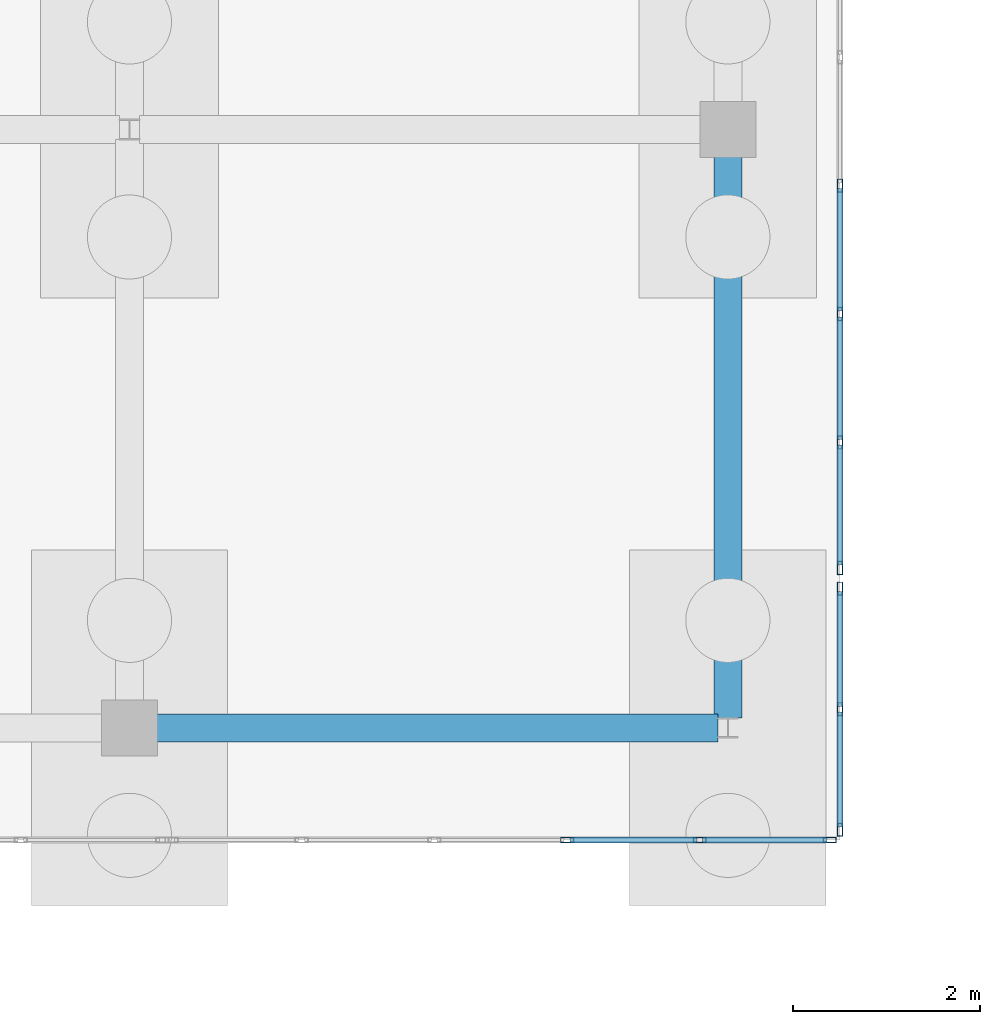
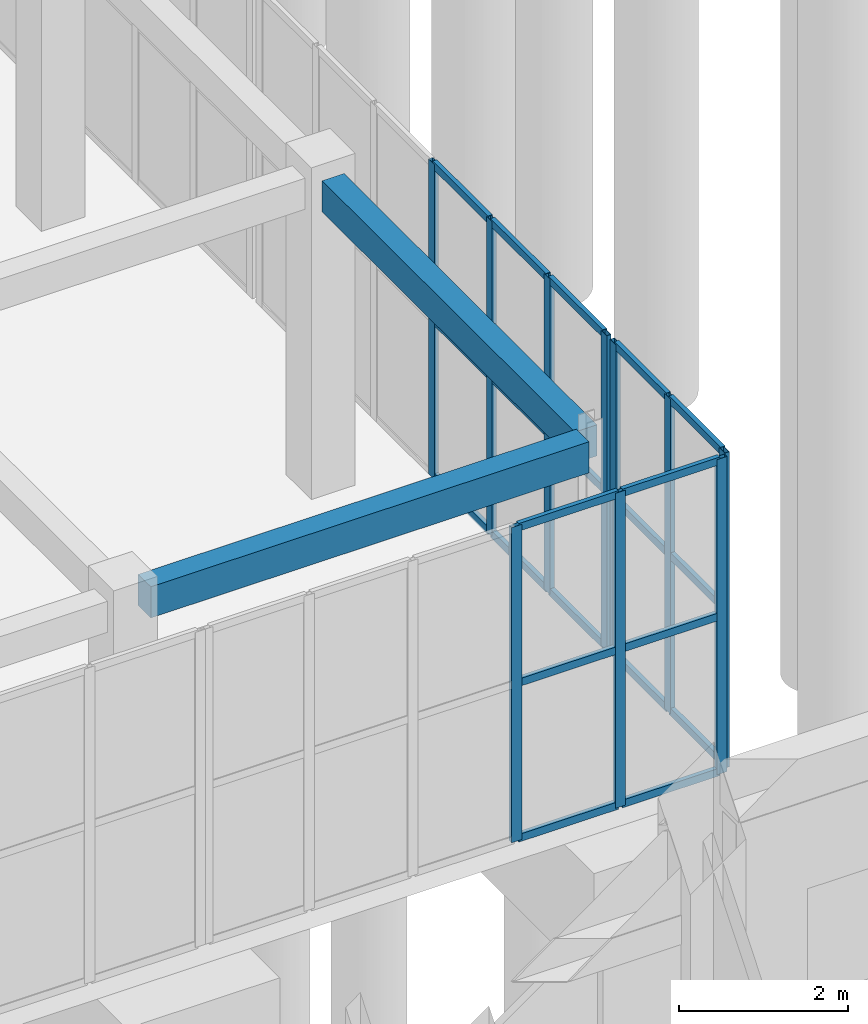
# One storey, part 72 of 192: 31 members, 2 beams, 3 elements without a shape of their own.
"""IFC4 building model written with IfcOpenShell, lengths in metres."""

from ifc_helpers import new_model, si_unit, direction, frame, origin, origin_2d, place, context, subcontext, project, spatial, rectangle, hollow_rectangle, extrude, material, layer, layer_set, material_profile, profile_set, type_object, element, aggregate, save


model = new_model("IFC4")

# Units and contexts
model_context = context("Model", 3, precision=1e-05, world=origin(), true_north=direction((0.0, 1.0)))
body_context = subcontext(model_context, "Body", "Model", "MODEL_VIEW")
ifc_project = project(units=[si_unit("LENGTHUNIT", "METRE"), si_unit("AREAUNIT", "SQUARE_METRE"), si_unit("VOLUMEUNIT", "CUBIC_METRE"), si_unit("PLANEANGLEUNIT", "RADIAN"), si_unit("MASSUNIT", "GRAM", prefix="KILO")], contexts=[model_context])

# Site, building, storey
site_placement = place(None, origin())
site = spatial("IfcSite", under=ifc_project, at=site_placement, CompositionType="ELEMENT")
building_placement = place(site_placement, origin())
building = spatial("IfcBuilding", under=site, at=building_placement, Name="Trelvath General Hospital", CompositionType="ELEMENT")
storey_placement = place(building_placement, origin())
storey = spatial("IfcBuildingStorey", under=building, at=storey_placement, Name="L00", CompositionType="ELEMENT", Elevation=0.0)

# Beams
ifc_material_1 = material(Name="Concrete C35/45", Category="concrete")
ifc_material_profile_1 = material_profile(ifc_material_1, rectangle(XDim=0.300048828125, YDim=0.449951171875, at=origin_2d()), Name="RCB300x450")
ifc_profile_set_1 = profile_set([ifc_material_profile_1], Name="Concrete C35/45")
beam_type = type_object("IfcBeamType", Name="Beam RC300x450", PredefinedType="BEAM", material=ifc_profile_set_1)
for number, where, z_axis, x_axis, name in (
    (1, (113.89599609375, 32.0, 4.3349609375), (1.0, 0.0, 0.0), (0.0, 1.0, 0.0), "Cube Interior Ring Beam CUBE-E-T0 L00"),
    (2, (120.0, 32.10595703125, 4.3349609375), (0.0, 1.0, 0.0), (-1.0, 0.0, 0.0), "Cube Interior Ring Beam CUBE-E-T0 L00"),
):
    element("IfcBeam", number, at=place(storey_placement, frame(where, z_axis=z_axis, x_axis=x_axis)), inside=storey, type_object=beam_type, Name=name, PredefinedType="BEAM", context=body_context, shape_type="SweptSolid", body=[
        extrude(rectangle(XDim=0.300048828125, YDim=0.449951171875, at=origin_2d()), origin(), (0.0, 0.0, 1.0), 5.998046875),
    ])

# Curtain wall, members
ifc_material_2 = material(Name="Anodised aluminium and low-E glass", Category="aluminium")
ifc_layer_1 = layer(ifc_material_2, 0.139892578125)
ifc_layer_set_1 = layer_set([ifc_layer_1], Name="Anodised aluminium and low-E glass")
curtain_wall_type_1 = type_object("IfcCurtainWallType", Name="CW CrystalCube 710 456 14", PredefinedType="USERDEFINED", material=ifc_layer_set_1)
curtain_wall_1_placement = place(storey_placement, origin())
curtain_wall_1 = element("IfcCurtainWall", 3, at=curtain_wall_1_placement, inside=storey, type_object=curtain_wall_type_1, Name="Crystal Cube Curtain Wall CUBE-E-T0 S5 L00", ObjectType="Unitised Glazed Curtain Wall", PredefinedType="USERDEFINED")
ifc_material_3 = material(Name="Anodised aluminium", Category="aluminium")
ifc_material_profile_2 = material_profile(ifc_material_3, hollow_rectangle(XDim=0.06005859375, YDim=0.139892578125, WallThickness=0.00390625, at=origin_2d()), Name="RHS60x140x4")
ifc_profile_set_2 = profile_set([ifc_material_profile_2], Name="Anodised aluminium")
member_type_1 = type_object("IfcMemberType", Name="CurtainMullion 60x140", PredefinedType="MULLION", material=ifc_profile_set_2)
member_1_placement = place(storey_placement, frame((121.090087890625, 30.800048828125, 0.0), z_axis=(0.0, 0.0, 1.0), x_axis=(0.0, -1.0, 0.0)))
member_1 = element("IfcMember", 4, at=member_1_placement, type_object=member_type_1, Name="CW-110 mullion 1", PredefinedType="MULLION", context=body_context, shape_type="SweptSolid", body=[
    extrude(hollow_rectangle(XDim=0.06005859375, YDim=0.139892578125, WallThickness=0.00390625, at=origin_2d()), origin(), (0.0, 0.0, 1.0), 4.56005859375),
])
member_2_placement = place(storey_placement, frame((119.699951171875, 30.800048828125, 0.0), z_axis=(0.0, 0.0, 1.0), x_axis=(0.0, -1.0, 0.0)))
member_2 = element("IfcMember", 5, at=member_2_placement, type_object=member_type_1, Name="CW-110 mullion 2", PredefinedType="MULLION", context=body_context, shape_type="SweptSolid", body=[
    extrude(hollow_rectangle(XDim=0.06005859375, YDim=0.139892578125, WallThickness=0.00390625, at=origin_2d()), origin(), (0.0, 0.0, 1.0), 4.56005859375),
])
member_3_placement = place(storey_placement, frame((118.280029296875, 30.800048828125, 0.0), z_axis=(0.0, 0.0, 1.0), x_axis=(0.0, -1.0, 0.0)))
member_3 = element("IfcMember", 6, at=member_3_placement, type_object=member_type_1, Name="CW-110 mullion 3", PredefinedType="MULLION", context=body_context, shape_type="SweptSolid", body=[
    extrude(hollow_rectangle(XDim=0.06005859375, YDim=0.139892578125, WallThickness=0.00390625, at=origin_2d()), origin(), (0.0, 0.0, 1.0), 4.56005859375),
])

ifc_material_4 = material(Name="Anodised aluminium and low-E glass", Category="aluminium")
ifc_layer_2 = layer(ifc_material_4, 0.139892578125)
ifc_layer_set_2 = layer_set([ifc_layer_2], Name="Anodised aluminium and low-E glass")
curtain_wall_type_2 = type_object("IfcCurtainWallType", Name="CW CrystalCube 264 456 14", PredefinedType="USERDEFINED", material=ifc_layer_set_2)
curtain_wall_2_placement = place(storey_placement, origin())
curtain_wall_2 = element("IfcCurtainWall", 7, at=curtain_wall_2_placement, inside=storey, type_object=curtain_wall_type_2, Name="Crystal Cube Curtain Wall CUBE-E-T0 E1 L00", ObjectType="Unitised Glazed Curtain Wall", PredefinedType="USERDEFINED")
member_4_placement = place(storey_placement, frame((121.199951171875, 33.489990234375, 0.0), z_axis=(0.0, 0.0, 1.0), x_axis=(1.0, 0.0, 0.0)))
member_4 = element("IfcMember", 8, at=member_4_placement, type_object=member_type_1, Name="CW-116 mullion 1", PredefinedType="MULLION", context=body_context, shape_type="SweptSolid", body=[
    extrude(hollow_rectangle(XDim=0.06005859375, YDim=0.139892578125, WallThickness=0.00390625, at=origin_2d()), origin(), (0.0, 0.0, 1.0), 4.56005859375),
])
member_5_placement = place(storey_placement, frame((121.199951171875, 32.199951171875, 0.0), z_axis=(0.0, 0.0, 1.0), x_axis=(1.0, 0.0, 0.0)))
member_5 = element("IfcMember", 9, at=member_5_placement, type_object=member_type_1, Name="CW-116 mullion 2", PredefinedType="MULLION", context=body_context, shape_type="SweptSolid", body=[
    extrude(hollow_rectangle(XDim=0.06005859375, YDim=0.139892578125, WallThickness=0.00390625, at=origin_2d()), origin(), (0.0, 0.0, 1.0), 4.56005859375),
])
member_6_placement = place(storey_placement, frame((121.199951171875, 30.909912109375, 0.0), z_axis=(0.0, 0.0, 1.0), x_axis=(1.0, 0.0, 0.0)))
member_6 = element("IfcMember", 10, at=member_6_placement, type_object=member_type_1, Name="CW-116 mullion 3", PredefinedType="MULLION", context=body_context, shape_type="SweptSolid", body=[
    extrude(hollow_rectangle(XDim=0.06005859375, YDim=0.139892578125, WallThickness=0.00390625, at=origin_2d()), origin(), (0.0, 0.0, 1.0), 4.56005859375),
])

ifc_material_5 = material(Name="Anodised aluminium and low-E glass", Category="aluminium")
ifc_layer_3 = layer(ifc_material_5, 0.139892578125)
ifc_layer_set_3 = layer_set([ifc_layer_3], Name="Anodised aluminium and low-E glass")
curtain_wall_type_3 = type_object("IfcCurtainWallType", Name="CW CrystalCube 824 456 14", PredefinedType="USERDEFINED", material=ifc_layer_set_3)
curtain_wall_3_placement = place(storey_placement, origin())
curtain_wall_3 = element("IfcCurtainWall", 11, at=curtain_wall_3_placement, inside=storey, type_object=curtain_wall_type_3, Name="Crystal Cube Curtain Wall CUBE-E-T0 E2 L00", ObjectType="Unitised Glazed Curtain Wall", PredefinedType="USERDEFINED")
member_7_placement = place(storey_placement, frame((121.199951171875, 37.800048828125, 0.0), z_axis=(0.0, 0.0, 1.0), x_axis=(1.0, 0.0, 0.0)))
member_7 = element("IfcMember", 12, at=member_7_placement, type_object=member_type_1, Name="CW-118 mullion 4", PredefinedType="MULLION", context=body_context, shape_type="SweptSolid", body=[
    extrude(hollow_rectangle(XDim=0.06005859375, YDim=0.139892578125, WallThickness=0.00390625, at=origin_2d()), origin(), (0.0, 0.0, 1.0), 4.56005859375),
])
member_8_placement = place(storey_placement, frame((121.199951171875, 36.4267578125, 0.0), z_axis=(0.0, 0.0, 1.0), x_axis=(1.0, 0.0, 0.0)))
member_8 = element("IfcMember", 13, at=member_8_placement, type_object=member_type_1, Name="CW-118 mullion 5", PredefinedType="MULLION", context=body_context, shape_type="SweptSolid", body=[
    extrude(hollow_rectangle(XDim=0.06005859375, YDim=0.139892578125, WallThickness=0.00390625, at=origin_2d()), origin(), (0.0, 0.0, 1.0), 4.56005859375),
])
member_9_placement = place(storey_placement, frame((121.199951171875, 35.05322265625, 0.0), z_axis=(0.0, 0.0, 1.0), x_axis=(1.0, 0.0, 0.0)))
member_9 = element("IfcMember", 14, at=member_9_placement, type_object=member_type_1, Name="CW-118 mullion 6", PredefinedType="MULLION", context=body_context, shape_type="SweptSolid", body=[
    extrude(hollow_rectangle(XDim=0.06005859375, YDim=0.139892578125, WallThickness=0.00390625, at=origin_2d()), origin(), (0.0, 0.0, 1.0), 4.56005859375),
])
member_10_placement = place(storey_placement, frame((121.199951171875, 33.7099609375, 0.0), z_axis=(0.0, 0.0, 1.0), x_axis=(1.0, 0.0, 0.0)))
member_10 = element("IfcMember", 15, at=member_10_placement, type_object=member_type_1, Name="CW-118 mullion 7", PredefinedType="MULLION", context=body_context, shape_type="SweptSolid", body=[
    extrude(hollow_rectangle(XDim=0.06005859375, YDim=0.139892578125, WallThickness=0.00390625, at=origin_2d()), origin(), (0.0, 0.0, 1.0), 4.56005859375),
])

# Member
ifc_material_6 = material(Name="Anodised aluminium", Category="aluminium")
ifc_material_profile_3 = material_profile(ifc_material_6, hollow_rectangle(XDim=0.06005859375, YDim=0.110107421875, WallThickness=0.00390625, at=origin_2d()), Name="RHS60x110x4")
ifc_profile_set_3 = profile_set([ifc_material_profile_3], Name="Anodised aluminium")
member_type_2 = type_object("IfcMemberType", Name="CurtainTransom 60x110", PredefinedType="USERDEFINED", material=ifc_profile_set_3)
member_11_placement = place(storey_placement, frame((121.06005859375, 30.800048828125, 0.030029296875), z_axis=(-1.0, 0.0, 0.0), x_axis=(0.0, -1.0, 0.0)))
member_11 = element("IfcMember", 16, at=member_11_placement, type_object=member_type_2, Name="CW-110 transom 1.1", ObjectType="TRANSOM", PredefinedType="USERDEFINED", context=body_context, shape_type="SweptSolid", body=[
    extrude(hollow_rectangle(XDim=0.06005859375, YDim=0.110107421875, WallThickness=0.00390625, at=origin_2d()), origin(), (0.0, 0.0, 1.0), 1.330078125),
])

member_12_placement = place(storey_placement, frame((121.06005859375, 30.800048828125, 2.280029296875), z_axis=(-1.0, 0.0, 0.0), x_axis=(0.0, -1.0, 0.0)))
member_12 = element("IfcMember", 17, at=member_12_placement, type_object=member_type_2, Name="CW-110 transom 1.2", ObjectType="TRANSOM", PredefinedType="USERDEFINED", context=body_context, shape_type="SweptSolid", body=[
    extrude(hollow_rectangle(XDim=0.06005859375, YDim=0.110107421875, WallThickness=0.00390625, at=origin_2d()), origin(), (0.0, 0.0, 1.0), 1.330078125),
])

member_13_placement = place(storey_placement, frame((121.06005859375, 30.800048828125, 4.530029296875), z_axis=(-1.0, 0.0, 0.0), x_axis=(0.0, -1.0, 0.0)))
member_13 = element("IfcMember", 18, at=member_13_placement, type_object=member_type_2, Name="CW-110 transom 1.3", ObjectType="TRANSOM", PredefinedType="USERDEFINED", context=body_context, shape_type="SweptSolid", body=[
    extrude(hollow_rectangle(XDim=0.06005859375, YDim=0.110107421875, WallThickness=0.00390625, at=origin_2d()), origin(), (0.0, 0.0, 1.0), 1.330078125),
])

member_14_placement = place(storey_placement, frame((119.669921875, 30.800048828125, 0.030029296875), z_axis=(-1.0, 0.0, 0.0), x_axis=(0.0, -1.0, 0.0)))
member_14 = element("IfcMember", 19, at=member_14_placement, type_object=member_type_2, Name="CW-110 transom 2.1", ObjectType="TRANSOM", PredefinedType="USERDEFINED", context=body_context, shape_type="SweptSolid", body=[
    extrude(hollow_rectangle(XDim=0.06005859375, YDim=0.110107421875, WallThickness=0.00390625, at=origin_2d()), origin(), (0.0, 0.0, 1.0), 1.35986328125),
])

member_15_placement = place(storey_placement, frame((119.669921875, 30.800048828125, 2.280029296875), z_axis=(-1.0, 0.0, 0.0), x_axis=(0.0, -1.0, 0.0)))
member_15 = element("IfcMember", 20, at=member_15_placement, type_object=member_type_2, Name="CW-110 transom 2.2", ObjectType="TRANSOM", PredefinedType="USERDEFINED", context=body_context, shape_type="SweptSolid", body=[
    extrude(hollow_rectangle(XDim=0.06005859375, YDim=0.110107421875, WallThickness=0.00390625, at=origin_2d()), origin(), (0.0, 0.0, 1.0), 1.35986328125),
])

member_16_placement = place(storey_placement, frame((119.669921875, 30.800048828125, 4.530029296875), z_axis=(-1.0, 0.0, 0.0), x_axis=(0.0, -1.0, 0.0)))
member_16 = element("IfcMember", 21, at=member_16_placement, type_object=member_type_2, Name="CW-110 transom 2.3", ObjectType="TRANSOM", PredefinedType="USERDEFINED", context=body_context, shape_type="SweptSolid", body=[
    extrude(hollow_rectangle(XDim=0.06005859375, YDim=0.110107421875, WallThickness=0.00390625, at=origin_2d()), origin(), (0.0, 0.0, 1.0), 1.35986328125),
])

aggregate(curtain_wall_1, [member_1, member_2, member_3, member_11, member_12, member_13, member_14, member_15, member_16])

member_17_placement = place(storey_placement, frame((121.199951171875, 33.4599609375, 0.030029296875), z_axis=(0.0, -1.0, 0.0), x_axis=(1.0, 0.0, 0.0)))
member_17 = element("IfcMember", 22, at=member_17_placement, type_object=member_type_2, Name="CW-116 transom 1.1", ObjectType="TRANSOM", PredefinedType="USERDEFINED", context=body_context, shape_type="SweptSolid", body=[
    extrude(hollow_rectangle(XDim=0.06005859375, YDim=0.110107421875, WallThickness=0.00390625, at=origin_2d()), origin(), (0.0, 0.0, 1.0), 1.22998046875),
])

member_18_placement = place(storey_placement, frame((121.199951171875, 33.4599609375, 2.280029296875), z_axis=(0.0, -1.0, 0.0), x_axis=(1.0, 0.0, 0.0)))
member_18 = element("IfcMember", 23, at=member_18_placement, type_object=member_type_2, Name="CW-116 transom 1.2", ObjectType="TRANSOM", PredefinedType="USERDEFINED", context=body_context, shape_type="SweptSolid", body=[
    extrude(hollow_rectangle(XDim=0.06005859375, YDim=0.110107421875, WallThickness=0.00390625, at=origin_2d()), origin(), (0.0, 0.0, 1.0), 1.22998046875),
])

member_19_placement = place(storey_placement, frame((121.199951171875, 33.4599609375, 4.530029296875), z_axis=(0.0, -1.0, 0.0), x_axis=(1.0, 0.0, 0.0)))
member_19 = element("IfcMember", 24, at=member_19_placement, type_object=member_type_2, Name="CW-116 transom 1.3", ObjectType="TRANSOM", PredefinedType="USERDEFINED", context=body_context, shape_type="SweptSolid", body=[
    extrude(hollow_rectangle(XDim=0.06005859375, YDim=0.110107421875, WallThickness=0.00390625, at=origin_2d()), origin(), (0.0, 0.0, 1.0), 1.22998046875),
])

member_20_placement = place(storey_placement, frame((121.199951171875, 32.169921875, 0.030029296875), z_axis=(0.0, -1.0, 0.0), x_axis=(1.0, 0.0, 0.0)))
member_20 = element("IfcMember", 25, at=member_20_placement, type_object=member_type_2, Name="CW-116 transom 2.1", ObjectType="TRANSOM", PredefinedType="USERDEFINED", context=body_context, shape_type="SweptSolid", body=[
    extrude(hollow_rectangle(XDim=0.06005859375, YDim=0.110107421875, WallThickness=0.00390625, at=origin_2d()), origin(), (0.0, 0.0, 1.0), 1.22998046875),
])

member_21_placement = place(storey_placement, frame((121.199951171875, 32.169921875, 2.280029296875), z_axis=(0.0, -1.0, 0.0), x_axis=(1.0, 0.0, 0.0)))
member_21 = element("IfcMember", 26, at=member_21_placement, type_object=member_type_2, Name="CW-116 transom 2.2", ObjectType="TRANSOM", PredefinedType="USERDEFINED", context=body_context, shape_type="SweptSolid", body=[
    extrude(hollow_rectangle(XDim=0.06005859375, YDim=0.110107421875, WallThickness=0.00390625, at=origin_2d()), origin(), (0.0, 0.0, 1.0), 1.22998046875),
])

member_22_placement = place(storey_placement, frame((121.199951171875, 32.169921875, 4.530029296875), z_axis=(0.0, -1.0, 0.0), x_axis=(1.0, 0.0, 0.0)))
member_22 = element("IfcMember", 27, at=member_22_placement, type_object=member_type_2, Name="CW-116 transom 2.3", ObjectType="TRANSOM", PredefinedType="USERDEFINED", context=body_context, shape_type="SweptSolid", body=[
    extrude(hollow_rectangle(XDim=0.06005859375, YDim=0.110107421875, WallThickness=0.00390625, at=origin_2d()), origin(), (0.0, 0.0, 1.0), 1.22998046875),
])

aggregate(curtain_wall_2, [member_4, member_5, member_6, member_17, member_18, member_19, member_20, member_21, member_22])

member_23_placement = place(storey_placement, frame((121.199951171875, 37.77001953125, 0.030029296875), z_axis=(0.0, -1.0, 0.0), x_axis=(1.0, 0.0, 0.0)))
member_23 = element("IfcMember", 28, at=member_23_placement, type_object=member_type_2, Name="CW-118 transom 4.1", ObjectType="TRANSOM", PredefinedType="USERDEFINED", context=body_context, shape_type="SweptSolid", body=[
    extrude(hollow_rectangle(XDim=0.06005859375, YDim=0.110107421875, WallThickness=0.00390625, at=origin_2d()), origin(), (0.0, 0.0, 1.0), 1.313232421875),
])

member_24_placement = place(storey_placement, frame((121.199951171875, 37.77001953125, 2.280029296875), z_axis=(0.0, -1.0, 0.0), x_axis=(1.0, 0.0, 0.0)))
member_24 = element("IfcMember", 29, at=member_24_placement, type_object=member_type_2, Name="CW-118 transom 4.2", ObjectType="TRANSOM", PredefinedType="USERDEFINED", context=body_context, shape_type="SweptSolid", body=[
    extrude(hollow_rectangle(XDim=0.06005859375, YDim=0.110107421875, WallThickness=0.00390625, at=origin_2d()), origin(), (0.0, 0.0, 1.0), 1.313232421875),
])

member_25_placement = place(storey_placement, frame((121.199951171875, 37.77001953125, 4.530029296875), z_axis=(0.0, -1.0, 0.0), x_axis=(1.0, 0.0, 0.0)))
member_25 = element("IfcMember", 30, at=member_25_placement, type_object=member_type_2, Name="CW-118 transom 4.3", ObjectType="TRANSOM", PredefinedType="USERDEFINED", context=body_context, shape_type="SweptSolid", body=[
    extrude(hollow_rectangle(XDim=0.06005859375, YDim=0.110107421875, WallThickness=0.00390625, at=origin_2d()), origin(), (0.0, 0.0, 1.0), 1.313232421875),
])

member_26_placement = place(storey_placement, frame((121.199951171875, 36.396728515625, 0.030029296875), z_axis=(0.0, -1.0, 0.0), x_axis=(1.0, 0.0, 0.0)))
member_26 = element("IfcMember", 31, at=member_26_placement, type_object=member_type_2, Name="CW-118 transom 5.1", ObjectType="TRANSOM", PredefinedType="USERDEFINED", context=body_context, shape_type="SweptSolid", body=[
    extrude(hollow_rectangle(XDim=0.06005859375, YDim=0.110107421875, WallThickness=0.00390625, at=origin_2d()), origin(), (0.0, 0.0, 1.0), 1.3134765625),
])

member_27_placement = place(storey_placement, frame((121.199951171875, 36.396728515625, 2.280029296875), z_axis=(0.0, -1.0, 0.0), x_axis=(1.0, 0.0, 0.0)))
member_27 = element("IfcMember", 32, at=member_27_placement, type_object=member_type_2, Name="CW-118 transom 5.2", ObjectType="TRANSOM", PredefinedType="USERDEFINED", context=body_context, shape_type="SweptSolid", body=[
    extrude(hollow_rectangle(XDim=0.06005859375, YDim=0.110107421875, WallThickness=0.00390625, at=origin_2d()), origin(), (0.0, 0.0, 1.0), 1.3134765625),
])

member_28_placement = place(storey_placement, frame((121.199951171875, 36.396728515625, 4.530029296875), z_axis=(0.0, -1.0, 0.0), x_axis=(1.0, 0.0, 0.0)))
member_28 = element("IfcMember", 33, at=member_28_placement, type_object=member_type_2, Name="CW-118 transom 5.3", ObjectType="TRANSOM", PredefinedType="USERDEFINED", context=body_context, shape_type="SweptSolid", body=[
    extrude(hollow_rectangle(XDim=0.06005859375, YDim=0.110107421875, WallThickness=0.00390625, at=origin_2d()), origin(), (0.0, 0.0, 1.0), 1.3134765625),
])

member_29_placement = place(storey_placement, frame((121.199951171875, 35.0234375, 0.030029296875), z_axis=(0.0, -1.0, 0.0), x_axis=(1.0, 0.0, 0.0)))
member_29 = element("IfcMember", 34, at=member_29_placement, type_object=member_type_2, Name="CW-118 transom 6.1", ObjectType="TRANSOM", PredefinedType="USERDEFINED", context=body_context, shape_type="SweptSolid", body=[
    extrude(hollow_rectangle(XDim=0.06005859375, YDim=0.110107421875, WallThickness=0.00390625, at=origin_2d()), origin(), (0.0, 0.0, 1.0), 1.283447265625),
])

member_30_placement = place(storey_placement, frame((121.199951171875, 35.0234375, 2.280029296875), z_axis=(0.0, -1.0, 0.0), x_axis=(1.0, 0.0, 0.0)))
member_30 = element("IfcMember", 35, at=member_30_placement, type_object=member_type_2, Name="CW-118 transom 6.2", ObjectType="TRANSOM", PredefinedType="USERDEFINED", context=body_context, shape_type="SweptSolid", body=[
    extrude(hollow_rectangle(XDim=0.06005859375, YDim=0.110107421875, WallThickness=0.00390625, at=origin_2d()), origin(), (0.0, 0.0, 1.0), 1.283447265625),
])

member_31_placement = place(storey_placement, frame((121.199951171875, 35.0234375, 4.530029296875), z_axis=(0.0, -1.0, 0.0), x_axis=(1.0, 0.0, 0.0)))
member_31 = element("IfcMember", 36, at=member_31_placement, type_object=member_type_2, Name="CW-118 transom 6.3", ObjectType="TRANSOM", PredefinedType="USERDEFINED", context=body_context, shape_type="SweptSolid", body=[
    extrude(hollow_rectangle(XDim=0.06005859375, YDim=0.110107421875, WallThickness=0.00390625, at=origin_2d()), origin(), (0.0, 0.0, 1.0), 1.283447265625),
])

aggregate(curtain_wall_3, [member_7, member_8, member_9, member_10, member_23, member_24, member_25, member_26, member_27, member_28, member_29, member_30, member_31])

save(model, "model.ifc")
